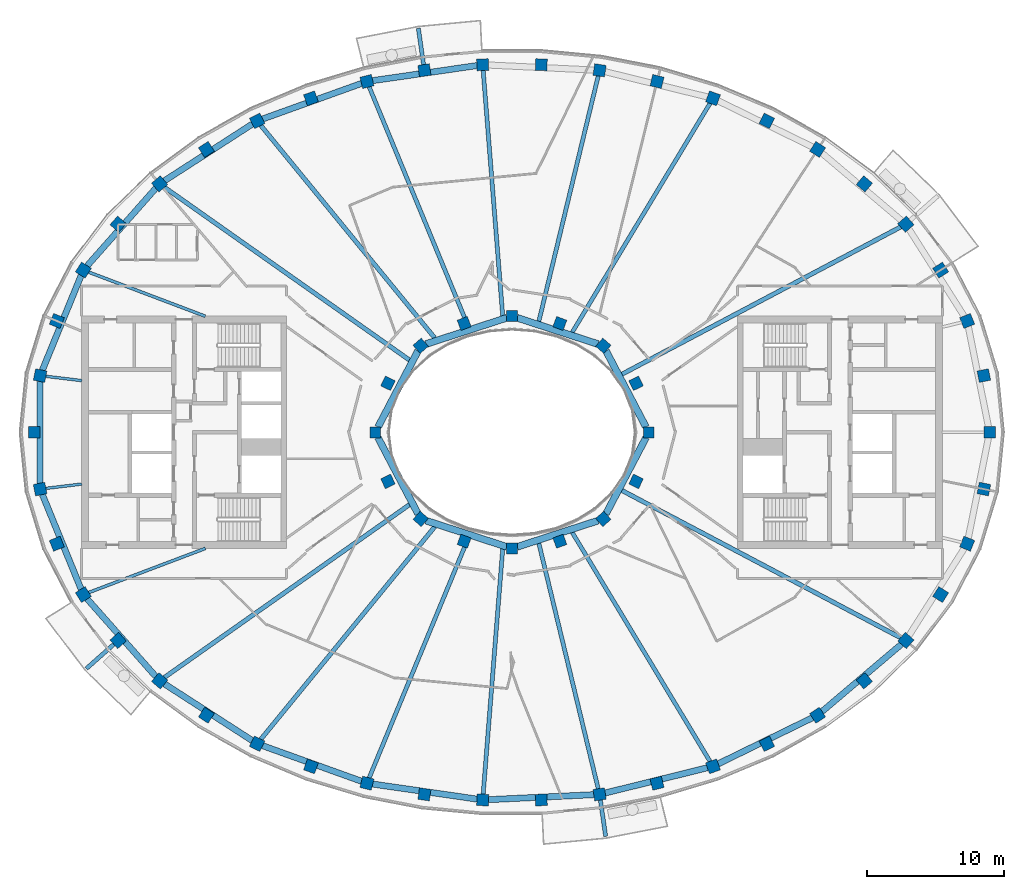
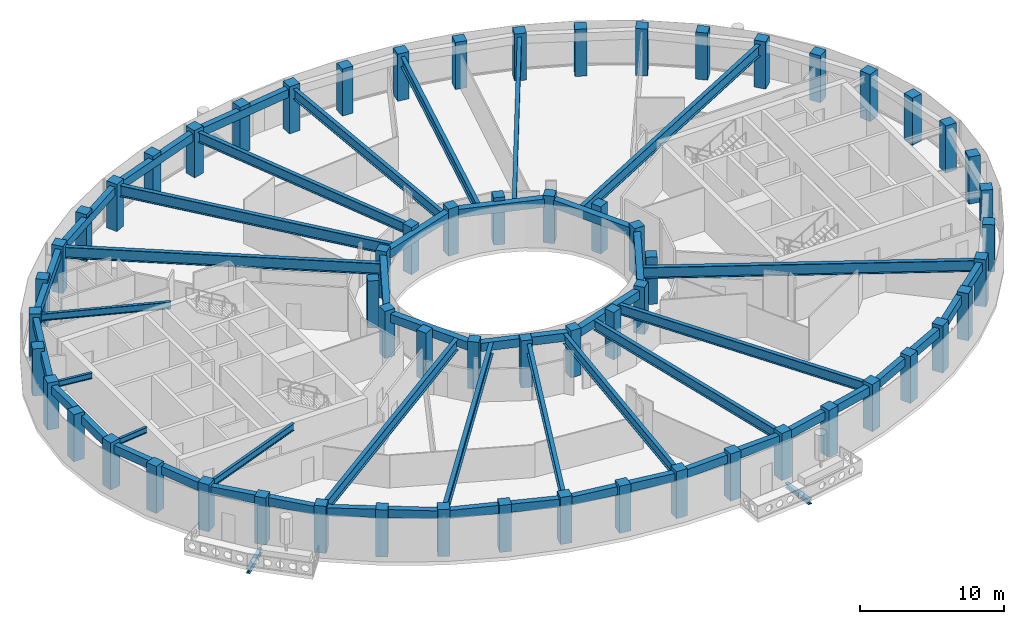
# One storey, part 1 of 20: 62 columns, 44 beams.
"""IFC4 building model written with IfcOpenShell, lengths in metres."""

from ifc_helpers import new_model, si_unit, direction, frame, origin, origin_2d, place, context, subcontext, project, spatial, rectangle, i_section, extrude, material, material_profile, profile_set, type_object, element, save


model = new_model("IFC4")

# Units and contexts
model_context = context("Model", 3, precision=1e-05, world=origin(), true_north=direction((0.0, 1.0)))
body_context = subcontext(model_context, "Body", "Model", "MODEL_VIEW")
ifc_project = project(units=[si_unit("LENGTHUNIT", "METRE"), si_unit("AREAUNIT", "SQUARE_METRE"), si_unit("VOLUMEUNIT", "CUBIC_METRE"), si_unit("PLANEANGLEUNIT", "RADIAN"), si_unit("MASSUNIT", "GRAM", prefix="KILO")], contexts=[model_context])

# Site, building, storey
site_placement = place(None, origin())
site = spatial("IfcSite", under=ifc_project, at=site_placement, CompositionType="ELEMENT")
building_placement = place(site_placement, origin())
building = spatial("IfcBuilding", under=site, at=building_placement, Name="Noorbagh Ring Tower", CompositionType="ELEMENT")
storey_placement = place(building_placement, frame((0.0, 0.0, 323.0)))
storey = spatial("IfcBuildingStorey", under=building, at=storey_placement, Name="L70", CompositionType="ELEMENT", Elevation=323.0)

# Columns
ifc_material_1 = material(Name="Concrete C50/60", Category="concrete")
ifc_material_profile_1 = material_profile(ifc_material_1, rectangle(XDim=0.85009765625, YDim=0.85009765625, at=origin_2d()), Name="RC850x850")
ifc_profile_set_1 = profile_set([ifc_material_profile_1], Name="Concrete C50/60")
column_type_1 = type_object("IfcColumnType", Name="STR-COL-RC850x850-C50-60", PredefinedType="COLUMN", material=ifc_profile_set_1)
for number, where, z_axis, x_axis, name in (
    (1, (34.944580078125, 0.0, 0.0), (0.0, 0.0, 1.0), (0.0, 1.0, 0.0), "L70/col/R1-01"),
    (2, (34.52685546875, 4.150634765625, 0.0), (0.0, 0.0, 1.0), (-0.19723040178, 0.9803571638, 0.0), "L70/col/R1-02"),
    (3, (33.30517578125, 8.1494140625, 0.0), (0.0, 0.0, 1.0), (-0.378989499959, 0.925400971969, 0.0), "L70/col/R1-03"),
    (4, (31.364990234375, 11.87109375, 0.0), (0.0, 0.0, 1.0), (-0.535190403059, 0.844731455833, 0.0), "L70/col/R1-04"),
    (5, (28.81884765625, 15.23046875, 0.0), (0.0, 0.0, 1.0), (-0.662635642662, 0.748941923699, 0.0), "L70/col/R1-05"),
    (6, (25.78271484375, 18.180419921875, 0.0), (0.0, 0.0, 1.0), (-0.763035199656, 0.646356932419, 0.0), "L70/col/R1-06"),
    (7, (22.362060546875, 20.699951171875, 0.0), (0.0, 0.0, 1.0), (-0.840247639643, 0.542202825586, 0.0), "L70/col/R1-07"),
    (8, (18.646240234375, 22.785400390625, 0.0), (0.0, 0.0, 1.0), (-0.898399080868, 0.439180021741, 0.0), "L70/col/R1-08"),
    (9, (14.70947265625, 24.44091796875, 0.0), (0.0, 0.0, 1.0), (-0.941024726094, 0.338337797003, 0.0), "L70/col/R1-09"),
    (10, (10.61328125, 25.673583984375, 0.0), (0.0, 0.0, 1.0), (-0.970829360981, 0.239771457553, 0.0), "L70/col/R1-10"),
    (11, (6.4091796875, 26.49072265625, 0.0), (0.0, 0.0, 1.0), (-0.989713114048, 0.143066249975, 0.0), "L70/col/R1-11"),
    (12, (2.14306640625, 26.89794921875, 0.0), (0.0, 0.0, 1.0), (-0.998868731212, 0.047552684538, 0.0), "L70/col/R1-12"),
    (13, (-2.14306640625, 26.89794921875, 0.0), (0.0, 0.0, 1.0), (-0.998868731212, -0.047552684538, 0.0), "L70/col/R1-13"),
    (14, (-6.4091796875, 26.49072265625, 0.0), (0.0, 0.0, 1.0), (-0.989713114048, -0.143066249975, 0.0), "L70/col/R1-14"),
    (15, (-10.61328125, 25.673583984375, 0.0), (0.0, 0.0, 1.0), (-0.970829360981, -0.239771457553, 0.0), "L70/col/R1-15"),
    (16, (-14.70947265625, 24.44091796875, 0.0), (0.0, 0.0, 1.0), (-0.941024726094, -0.338337797003, 0.0), "L70/col/R1-16"),
    (17, (-18.646240234375, 22.785400390625, 0.0), (0.0, 0.0, 1.0), (-0.898399080868, -0.439180021741, 0.0), "L70/col/R1-17"),
    (18, (-22.362060546875, 20.699951171875, 0.0), (0.0, 0.0, 1.0), (-0.840247639643, -0.542202825586, 0.0), "L70/col/R1-18"),
    (19, (-25.78271484375, 18.180419921875, 0.0), (0.0, 0.0, 1.0), (-0.763035199656, -0.646356932419, 0.0), "L70/col/R1-19"),
    (20, (-28.81884765625, 15.23046875, 0.0), (0.0, 0.0, 1.0), (-0.662635642662, -0.748941923699, 0.0), "L70/col/R1-20"),
    (21, (-31.364990234375, 11.87109375, 0.0), (0.0, 0.0, 1.0), (-0.535190403059, -0.844731455833, 0.0), "L70/col/R1-21"),
    (22, (-33.30517578125, 8.1494140625, 0.0), (0.0, 0.0, 1.0), (-0.378989499959, -0.925400971969, 0.0), "L70/col/R1-22"),
    (23, (-34.52685546875, 4.150634765625, 0.0), (0.0, 0.0, 1.0), (-0.19723040178, -0.9803571638, 0.0), "L70/col/R1-23"),
    (24, (-34.944580078125, 0.0, 0.0), (0.0, 0.0, 1.0), (0.0, -1.0, 0.0), "L70/col/R1-24"),
    (25, (-34.52685546875, -4.150634765625, 0.0), (0.0, 0.0, 1.0), (0.19723040178, -0.9803571638, 0.0), "L70/col/R1-25"),
    (26, (-33.30517578125, -8.1494140625, 0.0), (0.0, 0.0, 1.0), (0.378989499959, -0.925400971969, 0.0), "L70/col/R1-26"),
    (27, (-31.364990234375, -11.87109375, 0.0), (0.0, 0.0, 1.0), (0.535190403059, -0.844731455833, 0.0), "L70/col/R1-27"),
    (28, (-28.81884765625, -15.23046875, 0.0), (0.0, 0.0, 1.0), (0.662635642662, -0.748941923699, 0.0), "L70/col/R1-28"),
    (29, (-25.78271484375, -18.180419921875, 0.0), (0.0, 0.0, 1.0), (0.763035199656, -0.646356932419, 0.0), "L70/col/R1-29"),
    (30, (-22.362060546875, -20.699951171875, 0.0), (0.0, 0.0, 1.0), (0.840247639643, -0.542202825586, 0.0), "L70/col/R1-30"),
    (31, (-18.646240234375, -22.785400390625, 0.0), (0.0, 0.0, 1.0), (0.898399080868, -0.439180021741, 0.0), "L70/col/R1-31"),
    (32, (-14.70947265625, -24.44091796875, 0.0), (0.0, 0.0, 1.0), (0.941024726094, -0.338337797003, 0.0), "L70/col/R1-32"),
    (33, (-10.61328125, -25.673583984375, 0.0), (0.0, 0.0, 1.0), (0.970829360981, -0.239771457553, 0.0), "L70/col/R1-33"),
    (34, (-6.4091796875, -26.49072265625, 0.0), (0.0, 0.0, 1.0), (0.989713114048, -0.143066249975, 0.0), "L70/col/R1-34"),
    (35, (-2.14306640625, -26.89794921875, 0.0), (0.0, 0.0, 1.0), (0.998868731212, -0.047552684538, 0.0), "L70/col/R1-35"),
    (36, (2.14306640625, -26.89794921875, 0.0), (0.0, 0.0, 1.0), (0.998868731212, 0.047552684538, 0.0), "L70/col/R1-36"),
    (37, (6.4091796875, -26.49072265625, 0.0), (0.0, 0.0, 1.0), (0.989713114048, 0.143066249975, 0.0), "L70/col/R1-37"),
    (38, (10.61328125, -25.673583984375, 0.0), (0.0, 0.0, 1.0), (0.970829360981, 0.239771457553, 0.0), "L70/col/R1-38"),
    (39, (14.70947265625, -24.44091796875, 0.0), (0.0, 0.0, 1.0), (0.941024726094, 0.338337797003, 0.0), "L70/col/R1-39"),
    (40, (18.646240234375, -22.785400390625, 0.0), (0.0, 0.0, 1.0), (0.898399080868, 0.439180021741, 0.0), "L70/col/R1-40"),
    (41, (22.362060546875, -20.699951171875, 0.0), (0.0, 0.0, 1.0), (0.840247639643, 0.542202825586, 0.0), "L70/col/R1-41"),
    (42, (25.78271484375, -18.180419921875, 0.0), (0.0, 0.0, 1.0), (0.763035199656, 0.646356932419, 0.0), "L70/col/R1-42"),
    (43, (28.81884765625, -15.23046875, 0.0), (0.0, 0.0, 1.0), (0.662635642662, 0.748941923699, 0.0), "L70/col/R1-43"),
    (44, (31.364990234375, -11.87109375, 0.0), (0.0, 0.0, 1.0), (0.535190403059, 0.844731455833, 0.0), "L70/col/R1-44"),
    (45, (33.30517578125, -8.1494140625, 0.0), (0.0, 0.0, 1.0), (0.378989499959, 0.925400971969, 0.0), "L70/col/R1-45"),
    (46, (34.52685546875, -4.150634765625, 0.0), (0.0, 0.0, 1.0), (0.19723040178, 0.9803571638, 0.0), "L70/col/R1-46"),
):
    element("IfcColumn", number, at=place(storey_placement, frame(where, z_axis=z_axis, x_axis=x_axis)), inside=storey, type_object=column_type_1, Name=name, PredefinedType="COLUMN", context=body_context, shape_type="SweptSolid", body=[
        extrude(rectangle(XDim=0.85009765625, YDim=0.85009765625, at=origin_2d()), origin(), (0.0, 0.0, 1.0), 3.989013671875),
    ])
ifc_material_2 = material(Name="Concrete C50/60", Category="concrete")
ifc_material_profile_2 = material_profile(ifc_material_2, rectangle(XDim=0.800048828125, YDim=0.800048828125, at=origin_2d()), Name="RC800x800")
ifc_profile_set_2 = profile_set([ifc_material_profile_2], Name="Concrete C50/60")
column_type_2 = type_object("IfcColumnType", Name="STR-ICOL-RC800x800-C50-60", PredefinedType="COLUMN", material=ifc_profile_set_2)
for number, where, z_axis, x_axis, name in (
    (47, (10.00830078125, 0.0, 0.0), (0.0, 0.0, 1.0), (0.0, 1.0, 0.0), "L70/col/IR2-W01"),
    (48, (9.07568359375, 3.58837890625, 0.0), (0.0, 0.0, 1.0), (-0.428666979171, 0.903462573087, 0.0), "L70/col/IR2-W03"),
    (49, (6.68212890625, 6.333740234375, 0.0), (0.0, 0.0, 1.0), (-0.75102249095, 0.660276622399, 0.0), "L70/col/IR2-W05"),
    (50, (3.5009765625, 7.967041015625, 0.0), (0.0, 0.0, 1.0), (-0.939019578916, 0.343863679984, 0.0), "L70/col/IR2-W07"),
    (51, (0.0, 8.5029296875, 0.0), (0.0, 0.0, 1.0), (-1.0, 0.0, 0.0), "L70/col/IR2-W09"),
    (52, (-3.5009765625, 7.967041015625, 0.0), (0.0, 0.0, 1.0), (-0.939019578916, -0.343863679984, 0.0), "L70/col/IR2-W11"),
    (53, (-6.68212890625, 6.333740234375, 0.0), (0.0, 0.0, 1.0), (-0.75102249095, -0.660276622399, 0.0), "L70/col/IR2-W13"),
    (54, (-9.07568359375, 3.58837890625, 0.0), (0.0, 0.0, 1.0), (-0.428666979171, -0.903462573087, 0.0), "L70/col/IR2-W15"),
    (55, (-10.00830078125, 0.0, 0.0), (0.0, 0.0, 1.0), (0.0, -1.0, 0.0), "L70/col/IR2-W17"),
    (56, (-9.07568359375, -3.58837890625, 0.0), (0.0, 0.0, 1.0), (0.428666979171, -0.903462573087, 0.0), "L70/col/IR2-W19"),
    (57, (-6.68212890625, -6.333740234375, 0.0), (0.0, 0.0, 1.0), (0.75102249095, -0.660276622399, 0.0), "L70/col/IR2-W21"),
    (58, (-3.5009765625, -7.967041015625, 0.0), (0.0, 0.0, 1.0), (0.939019578916, -0.343863679984, 0.0), "L70/col/IR2-W23"),
    (59, (0.0, -8.5029296875, 0.0), (0.0, 0.0, 1.0), (1.0, 0.0, 0.0), "L70/col/IR2-W25"),
    (60, (3.5009765625, -7.967041015625, 0.0), (0.0, 0.0, 1.0), (0.939019578916, 0.343863679984, 0.0), "L70/col/IR2-W27"),
    (61, (6.68212890625, -6.333740234375, 0.0), (0.0, 0.0, 1.0), (0.75102249095, 0.660276622399, 0.0), "L70/col/IR2-W29"),
    (62, (9.07568359375, -3.58837890625, 0.0), (0.0, 0.0, 1.0), (0.428666979171, 0.903462573087, 0.0), "L70/col/IR2-W31"),
):
    element("IfcColumn", number, at=place(storey_placement, frame(where, z_axis=z_axis, x_axis=x_axis)), inside=storey, type_object=column_type_2, Name=name, PredefinedType="COLUMN", context=body_context, shape_type="SweptSolid", body=[
        extrude(rectangle(XDim=0.800048828125, YDim=0.800048828125, at=origin_2d()), origin(), (0.0, 0.0, 1.0), 4.0),
    ])

# Beams
ifc_material_3 = material(Name="Steel S355", Category="steel")
ifc_material_profile_3 = material_profile(ifc_material_3, i_section(OverallWidth=0.300048828125, OverallDepth=0.39990234375, WebThickness=0.013427734375, FlangeThickness=0.02392578125, FilletRadius=0.027099609375, at=origin_2d()), Name="HEB400")
ifc_profile_set_3 = profile_set([ifc_material_profile_3], Name="Steel S355")
beam_type_1 = type_object("IfcBeamType", Name="STR-BALCONY-BRACKET-HEB400", PredefinedType="BEAM", material=ifc_profile_set_3)
beam_1_placement = place(storey_placement, frame((-6.46728515625, 26.8916015625, -0.5), z_axis=(-0.143016882703, 0.989720248991, 0.0), x_axis=(-0.989720248991, -0.143016882703, 0.0)))
element("IfcBeam", 63, at=beam_1_placement, inside=storey, type_object=beam_type_1, Name="Balcony bracket beam BN04", PredefinedType="BEAM", context=body_context, shape_type="SweptSolid", body=[
    extrude(i_section(OverallWidth=0.300048828125, OverallDepth=0.39990234375, WebThickness=0.013427734375, FlangeThickness=0.02392578125, FilletRadius=0.027099609375, at=origin_2d()), origin(), (0.0, 0.0, 1.0), 2.698974609375),
])
beam_2_placement = place(storey_placement, frame((-29.1220703125, -15.498779296875, -0.5), z_axis=(-0.749065478734, -0.662495968719, 0.0), x_axis=(0.662495968719, -0.749065478734, 0.0)))
element("IfcBeam", 64, at=beam_2_placement, inside=storey, type_object=beam_type_1, Name="Balcony bracket beam BS01", PredefinedType="BEAM", context=body_context, shape_type="SweptSolid", body=[
    extrude(i_section(OverallWidth=0.300048828125, OverallDepth=0.39990234375, WebThickness=0.013427734375, FlangeThickness=0.02392578125, FilletRadius=0.027099609375, at=origin_2d()), origin(), (0.0, 0.0, 1.0), 2.70458984375),
])
beam_3_placement = place(storey_placement, frame((6.46728515625, -26.8916015625, -0.5), z_axis=(0.143016882703, -0.989720248991, 0.0), x_axis=(0.989720248991, 0.143016882703, 0.0)))
element("IfcBeam", 65, at=beam_3_placement, inside=storey, type_object=beam_type_1, Name="Balcony bracket beam BS04", PredefinedType="BEAM", context=body_context, shape_type="SweptSolid", body=[
    extrude(i_section(OverallWidth=0.300048828125, OverallDepth=0.39990234375, WebThickness=0.013427734375, FlangeThickness=0.02392578125, FilletRadius=0.027099609375, at=origin_2d()), origin(), (0.0, 0.0, 1.0), 2.698974609375),
])
ifc_material_4 = material(Name="Steel S355", Category="steel")
ifc_material_profile_4 = material_profile(ifc_material_4, i_section(OverallWidth=0.199951171875, OverallDepth=0.5, WebThickness=0.01025390625, FlangeThickness=0.01611328125, FilletRadius=0.02099609375, at=origin_2d()), Name="IPE500")
ifc_profile_set_4 = profile_set([ifc_material_profile_4], Name="Steel S355")
beam_type_2 = type_object("IfcBeamType", Name="STR-RAD-IPE500", PredefinedType="BEAM", material=ifc_profile_set_4)
for number, where, z_axis, x_axis, name in (
    (66, (-34.123291015625, 4.102294921875, 3.449951171875), (0.992845559516, -0.119405590106, 0.0), (0.119405590106, 0.992845559516, 0.0), "L70/bm/RD23"),
    (67, (-34.123291015625, -4.102294921875, 3.449951171875), (0.992845559516, 0.119405590106, 0.0), (-0.119405590106, 0.992845559516, 0.0), "L70/bm/RD25"),
):
    element("IfcBeam", number, at=place(storey_placement, frame(where, z_axis=z_axis, x_axis=x_axis)), inside=storey, type_object=beam_type_2, Name=name, PredefinedType="BEAM", context=body_context, shape_type="SweptSolid", body=[
        extrude(i_section(OverallWidth=0.199951171875, OverallDepth=0.5, WebThickness=0.01025390625, FlangeThickness=0.01611328125, FilletRadius=0.02099609375, at=origin_2d()), origin(), (0.0, 0.0, 1.0), 2.662109375),
    ])
ifc_material_5 = material(Name="Steel S355", Category="steel")
ifc_material_profile_5 = material_profile(ifc_material_5, i_section(OverallWidth=0.219970703125, OverallDepth=0.60009765625, WebThickness=0.011962890625, FlangeThickness=0.01904296875, FilletRadius=0.02392578125, at=origin_2d()), Name="IPE600")
ifc_profile_set_5 = profile_set([ifc_material_profile_5], Name="Steel S355")
beam_type_3 = type_object("IfcBeamType", Name="STR-RAD-IPE600", PredefinedType="BEAM", material=ifc_profile_set_5)
for number, where, z_axis, x_axis, name in (
    (68, (-30.977783203125, 11.724365234375, 3.39990234375), (0.935256589079, -0.35397049677, 0.0), (0.35397049677, 0.935256589079, 0.0), "L70/bm/RD21"),
    (69, (-30.977783203125, -11.724365234375, 3.39990234375), (0.935256589079, 0.35397049677, 0.0), (-0.35397049677, 0.935256589079, 0.0), "L70/bm/RD27"),
):
    element("IfcBeam", number, at=place(storey_placement, frame(where, z_axis=z_axis, x_axis=x_axis)), inside=storey, type_object=beam_type_3, Name=name, PredefinedType="BEAM", context=body_context, shape_type="SweptSolid", body=[
        extrude(i_section(OverallWidth=0.219970703125, OverallDepth=0.60009765625, WebThickness=0.011962890625, FlangeThickness=0.01904296875, FilletRadius=0.02392578125, at=origin_2d()), origin(), (0.0, 0.0, 1.0), 9.129150390625),
    ])
ifc_material_6 = material(Name="Steel S355", Category="steel")
ifc_material_profile_6 = material_profile(ifc_material_6, i_section(OverallWidth=0.300048828125, OverallDepth=0.85009765625, WebThickness=0.013916015625, FlangeThickness=0.028076171875, at=origin_2d()), Name="PG850x300x14x28")
ifc_profile_set_6 = profile_set([ifc_material_profile_6], Name="Steel S355")
beam_type_4 = type_object("IfcBeamType", Name="STR-RAD-PG850x300x14x28", PredefinedType="BEAM", material=ifc_profile_set_6)
beam_4_placement = place(storey_placement, frame((14.496337890625, 24.086669921875, 3.27490234375), z_axis=(-0.515652694162, -0.856797700162, 0.0), x_axis=(0.856797700162, -0.515652694162, 0.0)))
element("IfcBeam", 70, at=beam_4_placement, inside=storey, type_object=beam_type_4, Name="L70/bm/RD09", PredefinedType="BEAM", context=body_context, shape_type="SweptSolid", body=[
    extrude(i_section(OverallWidth=0.300048828125, OverallDepth=0.85009765625, WebThickness=0.013916015625, FlangeThickness=0.028076171875, at=origin_2d()), origin(), (0.0, 0.0, 1.0), 19.57373046875),
])
beam_5_placement = place(storey_placement, frame((6.3134765625, 26.095458984375, 3.27490234375), z_axis=(-0.235150311245, -0.971959017202, 0.0), x_axis=(0.971959017202, -0.235150311245, 0.0)))
element("IfcBeam", 71, at=beam_5_placement, inside=storey, type_object=beam_type_4, Name="L70/bm/RD11", PredefinedType="BEAM", context=body_context, shape_type="SweptSolid", body=[
    extrude(i_section(OverallWidth=0.300048828125, OverallDepth=0.85009765625, WebThickness=0.013916015625, FlangeThickness=0.028076171875, at=origin_2d()), origin(), (0.0, 0.0, 1.0), 18.506591796875),
])
beam_6_placement = place(storey_placement, frame((-2.111083984375, 26.494140625, 3.27490234375), z_axis=(0.079432469635, -0.996840249372, 0.0), x_axis=(0.996840249372, 0.079432469635, 0.0)))
element("IfcBeam", 72, at=beam_6_placement, inside=storey, type_object=beam_type_4, Name="L70/bm/RD13", PredefinedType="BEAM", context=body_context, shape_type="SweptSolid", body=[
    extrude(i_section(OverallWidth=0.300048828125, OverallDepth=0.85009765625, WebThickness=0.013916015625, FlangeThickness=0.028076171875, at=origin_2d()), origin(), (0.0, 0.0, 1.0), 18.0263671875),
])
for number, where, z_axis, x_axis, name in (
    (73, (-10.45654296875, 25.294921875, 3.27490234375), (0.382031056848, -0.924149485529, 0.0), (0.924149485529, 0.382031056848, 0.0), "L70/bm/RD15"),
    (74, (-10.45654296875, -25.294921875, 3.27490234375), (0.382031056848, 0.924149485529, 0.0), (-0.924149485529, 0.382031056848, 0.0), "L70/bm/RD33"),
):
    element("IfcBeam", number, at=place(storey_placement, frame(where, z_axis=z_axis, x_axis=x_axis)), inside=storey, type_object=beam_type_4, Name=name, PredefinedType="BEAM", context=body_context, shape_type="SweptSolid", body=[
        extrude(i_section(OverallWidth=0.300048828125, OverallDepth=0.85009765625, WebThickness=0.013916015625, FlangeThickness=0.028076171875, at=origin_2d()), origin(), (0.0, 0.0, 1.0), 19.028076171875),
    ])
beam_7_placement = place(storey_placement, frame((-2.111083984375, -26.494140625, 3.27490234375), z_axis=(0.079432469635, 0.996840249372, 0.0), x_axis=(-0.996840249372, 0.079432469635, 0.0)))
element("IfcBeam", 75, at=beam_7_placement, inside=storey, type_object=beam_type_4, Name="L70/bm/RD35", PredefinedType="BEAM", context=body_context, shape_type="SweptSolid", body=[
    extrude(i_section(OverallWidth=0.300048828125, OverallDepth=0.85009765625, WebThickness=0.013916015625, FlangeThickness=0.028076171875, at=origin_2d()), origin(), (0.0, 0.0, 1.0), 18.0263671875),
])
beam_8_placement = place(storey_placement, frame((6.3134765625, -26.095458984375, 3.27490234375), z_axis=(-0.235150311245, 0.971959017202, 0.0), x_axis=(-0.971959017202, -0.235150311245, 0.0)))
element("IfcBeam", 76, at=beam_8_placement, inside=storey, type_object=beam_type_4, Name="L70/bm/RD37", PredefinedType="BEAM", context=body_context, shape_type="SweptSolid", body=[
    extrude(i_section(OverallWidth=0.300048828125, OverallDepth=0.85009765625, WebThickness=0.013916015625, FlangeThickness=0.028076171875, at=origin_2d()), origin(), (0.0, 0.0, 1.0), 18.506591796875),
])
beam_9_placement = place(storey_placement, frame((14.496337890625, -24.086669921875, 3.27490234375), z_axis=(-0.515652694162, 0.856797700162, 0.0), x_axis=(-0.856797700162, -0.515652694162, 0.0)))
element("IfcBeam", 77, at=beam_9_placement, inside=storey, type_object=beam_type_4, Name="L70/bm/RD39", PredefinedType="BEAM", context=body_context, shape_type="SweptSolid", body=[
    extrude(i_section(OverallWidth=0.300048828125, OverallDepth=0.85009765625, WebThickness=0.013916015625, FlangeThickness=0.028076171875, at=origin_2d()), origin(), (0.0, 0.0, 1.0), 19.57373046875),
])
ifc_material_7 = material(Name="Steel S355", Category="steel")
ifc_material_profile_7 = material_profile(ifc_material_7, i_section(OverallWidth=0.320068359375, OverallDepth=0.949951171875, WebThickness=0.01611328125, FlangeThickness=0.030029296875, at=origin_2d()), Name="PG950x320x16x30")
ifc_profile_set_7 = profile_set([ifc_material_profile_7], Name="Steel S355")
beam_type_5 = type_object("IfcBeamType", Name="STR-RAD-PG950x320x16x30", PredefinedType="BEAM", material=ifc_profile_set_7)
beam_10_placement = place(storey_placement, frame((28.449951171875, 15.035400390625, 3.22509765625), z_axis=(-0.884129263948, -0.46724238317, 0.0), x_axis=(0.46724238317, -0.884129263948, 0.0)))
element("IfcBeam", 78, at=beam_10_placement, inside=storey, type_object=beam_type_5, Name="L70/bm/RD05", PredefinedType="BEAM", context=body_context, shape_type="SweptSolid", body=[
    extrude(i_section(OverallWidth=0.320068359375, OverallDepth=0.949951171875, WebThickness=0.01611328125, FlangeThickness=0.030029296875, at=origin_2d()), origin(), (0.0, 0.0, 1.0), 23.087890625),
])
beam_11_placement = place(storey_placement, frame((-18.38232421875, 22.462890625, 3.22509765625), z_axis=(0.633313204147, -0.773895590796, 0.0), x_axis=(0.773895590796, 0.633313204147, 0.0)))
element("IfcBeam", 79, at=beam_11_placement, inside=storey, type_object=beam_type_5, Name="L70/bm/RD17", PredefinedType="BEAM", context=body_context, shape_type="SweptSolid", body=[
    extrude(i_section(OverallWidth=0.320068359375, OverallDepth=0.949951171875, WebThickness=0.01611328125, FlangeThickness=0.030029296875, at=origin_2d()), origin(), (0.0, 0.0, 1.0), 20.096435546875),
])
for number, where, z_axis, x_axis, name in (
    (80, (-25.440185546875, 17.938720703125, 3.22509765625), (0.817257999624, -0.576271951469, 0.0), (0.576271951469, 0.817257999624, 0.0), "L70/bm/RD19"),
    (81, (-25.440185546875, -17.938720703125, 3.22509765625), (0.817257999624, 0.576271951469, 0.0), (-0.576271951469, 0.817257999624, 0.0), "L70/bm/RD29"),
):
    element("IfcBeam", number, at=place(storey_placement, frame(where, z_axis=z_axis, x_axis=x_axis)), inside=storey, type_object=beam_type_5, Name=name, PredefinedType="BEAM", context=body_context, shape_type="SweptSolid", body=[
        extrude(i_section(OverallWidth=0.320068359375, OverallDepth=0.949951171875, WebThickness=0.01611328125, FlangeThickness=0.030029296875, at=origin_2d()), origin(), (0.0, 0.0, 1.0), 21.959716796875),
    ])
beam_12_placement = place(storey_placement, frame((-18.38232421875, -22.462890625, 3.22509765625), z_axis=(0.633313204147, 0.773895590796, 0.0), x_axis=(-0.773895590796, 0.633313204147, 0.0)))
element("IfcBeam", 82, at=beam_12_placement, inside=storey, type_object=beam_type_5, Name="L70/bm/RD31", PredefinedType="BEAM", context=body_context, shape_type="SweptSolid", body=[
    extrude(i_section(OverallWidth=0.320068359375, OverallDepth=0.949951171875, WebThickness=0.01611328125, FlangeThickness=0.030029296875, at=origin_2d()), origin(), (0.0, 0.0, 1.0), 20.096435546875),
])
beam_13_placement = place(storey_placement, frame((28.449951171875, -15.035400390625, 3.22509765625), z_axis=(-0.884129263948, 0.46724238317, 0.0), x_axis=(-0.46724238317, -0.884129263948, 0.0)))
element("IfcBeam", 83, at=beam_13_placement, inside=storey, type_object=beam_type_5, Name="L70/bm/RD43", PredefinedType="BEAM", context=body_context, shape_type="SweptSolid", body=[
    extrude(i_section(OverallWidth=0.320068359375, OverallDepth=0.949951171875, WebThickness=0.01611328125, FlangeThickness=0.030029296875, at=origin_2d()), origin(), (0.0, 0.0, 1.0), 23.087890625),
])
ifc_material_8 = material(Name="Concrete C40/50", Category="concrete")
ifc_material_profile_8 = material_profile(ifc_material_8, rectangle(XDim=0.5, YDim=0.699951171875, at=origin_2d()), Name="RC500x700")
ifc_profile_set_8 = profile_set([ifc_material_profile_8], Name="Concrete C40/50")
beam_type_6 = type_object("IfcBeamType", Name="STR-RB-RC500x700-C40-50", PredefinedType="BEAM", material=ifc_profile_set_8)
beam_14_placement = place(storey_placement, frame((9.8076171875, 0.38232421875, 3.35009765625), z_axis=(-0.464943021964, 0.885340604698, 0.0), x_axis=(-0.885340604698, -0.464943021964, 0.0)))
element("IfcBeam", 84, at=beam_14_placement, inside=storey, type_object=beam_type_6, Name="L70/bm/RG01", PredefinedType="BEAM", context=body_context, shape_type="SweptSolid", body=[
    extrude(rectangle(XDim=0.5, YDim=0.699951171875, at=origin_2d()), origin(), (0.0, 0.0, 1.0), 6.313720703125),
])
for number, where, z_axis, x_axis, name in (
    (85, (6.286865234375, 6.462158203125, 3.35009765625), (-0.951150444931, 0.308727762126, 0.0), (-0.308727762126, -0.951150444931, 0.0), "L70/bm/RG03"),
    (86, (-0.380859375, 8.379150390625, 3.35009765625), (-0.951150444931, -0.308727762126, 0.0), (0.308727762126, -0.951150444931, 0.0), "L70/bm/RG05"),
):
    element("IfcBeam", number, at=place(storey_placement, frame(where, z_axis=z_axis, x_axis=x_axis)), inside=storey, type_object=beam_type_6, Name=name, PredefinedType="BEAM", context=body_context, shape_type="SweptSolid", body=[
        extrude(rectangle(XDim=0.5, YDim=0.699951171875, at=origin_2d()), origin(), (0.0, 0.0, 1.0), 6.209228515625),
    ])
for number, where, z_axis, x_axis, name in (
    (87, (-6.8720703125, 5.97216796875, 3.35009765625), (-0.464943021964, -0.885340604698, 0.0), (0.885340604698, -0.464943021964, 0.0), "L70/bm/RG07"),
    (88, (-9.8076171875, -0.38232421875, 3.35009765625), (0.464943021964, -0.885340604698, 0.0), (0.885340604698, 0.464943021964, 0.0), "L70/bm/RG09"),
):
    element("IfcBeam", number, at=place(storey_placement, frame(where, z_axis=z_axis, x_axis=x_axis)), inside=storey, type_object=beam_type_6, Name=name, PredefinedType="BEAM", context=body_context, shape_type="SweptSolid", body=[
        extrude(rectangle(XDim=0.5, YDim=0.699951171875, at=origin_2d()), origin(), (0.0, 0.0, 1.0), 6.313720703125),
    ])
for number, where, z_axis, x_axis, name in (
    (89, (-6.286865234375, -6.462158203125, 3.35009765625), (0.951150444931, -0.308727762126, 0.0), (0.308727762126, 0.951150444931, 0.0), "L70/bm/RG11"),
    (90, (0.380859375, -8.379150390625, 3.35009765625), (0.951150444931, 0.308727762126, 0.0), (-0.308727762126, 0.951150444931, 0.0), "L70/bm/RG13"),
):
    element("IfcBeam", number, at=place(storey_placement, frame(where, z_axis=z_axis, x_axis=x_axis)), inside=storey, type_object=beam_type_6, Name=name, PredefinedType="BEAM", context=body_context, shape_type="SweptSolid", body=[
        extrude(rectangle(XDim=0.5, YDim=0.699951171875, at=origin_2d()), origin(), (0.0, 0.0, 1.0), 6.209228515625),
    ])
beam_15_placement = place(storey_placement, frame((6.8720703125, -5.97216796875, 3.35009765625), z_axis=(0.464943021964, 0.885340604698, 0.0), x_axis=(-0.885340604698, 0.464943021964, 0.0)))
element("IfcBeam", 91, at=beam_15_placement, inside=storey, type_object=beam_type_6, Name="L70/bm/RG15", PredefinedType="BEAM", context=body_context, shape_type="SweptSolid", body=[
    extrude(rectangle(XDim=0.5, YDim=0.699951171875, at=origin_2d()), origin(), (0.0, 0.0, 1.0), 6.313720703125),
])
ifc_material_9 = material(Name="Concrete C40/50", Category="concrete")
ifc_material_profile_9 = material_profile(ifc_material_9, rectangle(XDim=0.449951171875, YDim=0.699951171875, at=origin_2d()), Name="RC450x700")
ifc_profile_set_9 = profile_set([ifc_material_profile_9], Name="Concrete C40/50")
beam_type_7 = type_object("IfcBeamType", Name="STR-SB-RC450x700-C40-50", PredefinedType="BEAM", material=ifc_profile_set_9)
beam_16_placement = place(storey_placement, frame((-2.5458984375, 26.83984375, 3.35009765625), z_axis=(-0.989712936671, -0.143067477037, 0.0), x_axis=(0.143067477037, -0.989712936671, 0.0)))
element("IfcBeam", 92, at=beam_16_placement, inside=storey, type_object=beam_type_7, Name="L70/bm/SP13", PredefinedType="BEAM", context=body_context, shape_type="SweptSolid", body=[
    extrude(rectangle(XDim=0.449951171875, YDim=0.699951171875, at=origin_2d()), origin(), (0.0, 0.0, 1.0), 7.743896484375),
])
beam_17_placement = place(storey_placement, frame((-10.996337890625, 25.535888671875, 3.35009765625), z_axis=(-0.941025178143, -0.338336539707, 0.0), x_axis=(0.338336539707, -0.941025178143, 0.0)))
element("IfcBeam", 93, at=beam_17_placement, inside=storey, type_object=beam_type_7, Name="L70/bm/SP15", PredefinedType="BEAM", context=body_context, shape_type="SweptSolid", body=[
    extrude(rectangle(XDim=0.449951171875, YDim=0.699951171875, at=origin_2d()), origin(), (0.0, 0.0, 1.0), 7.7216796875),
])
beam_18_placement = place(storey_placement, frame((-18.989013671875, 22.564208984375, 3.35009765625), z_axis=(-0.840250378677, -0.542198580904, 0.0), x_axis=(0.542198580904, -0.840250378677, 0.0)))
element("IfcBeam", 94, at=beam_18_placement, inside=storey, type_object=beam_type_7, Name="L70/bm/SP17", PredefinedType="BEAM", context=body_context, shape_type="SweptSolid", body=[
    extrude(rectangle(XDim=0.449951171875, YDim=0.699951171875, at=origin_2d()), origin(), (0.0, 0.0, 1.0), 7.6767578125),
])
beam_19_placement = place(storey_placement, frame((-26.053955078125, 17.873779296875, 3.35009765625), z_axis=(-0.662640380218, -0.748937732061, 0.0), x_axis=(0.748937732061, -0.662640380218, 0.0)))
element("IfcBeam", 95, at=beam_19_placement, inside=storey, type_object=beam_type_7, Name="L70/bm/SP19", PredefinedType="BEAM", context=body_context, shape_type="SweptSolid", body=[
    extrude(rectangle(XDim=0.449951171875, YDim=0.699951171875, at=origin_2d()), origin(), (0.0, 0.0, 1.0), 7.6044921875),
])
beam_20_placement = place(storey_placement, frame((-31.52099609375, 11.489990234375, 3.35009765625), z_axis=(-0.37899824369, -0.925397391006, 0.0), x_axis=(0.925397391006, -0.37899824369, 0.0)))
element("IfcBeam", 96, at=beam_20_placement, inside=storey, type_object=beam_type_7, Name="L70/bm/SP21", PredefinedType="BEAM", context=body_context, shape_type="SweptSolid", body=[
    extrude(rectangle(XDim=0.449951171875, YDim=0.699951171875, at=origin_2d()), origin(), (0.0, 0.0, 1.0), 7.51806640625),
])
beam_21_placement = place(storey_placement, frame((-34.52685546875, 3.737060546875, 3.35009765625), z_axis=(0.0, -1.0, 0.0), x_axis=(1.0, 0.0, 0.0)))
element("IfcBeam", 97, at=beam_21_placement, inside=storey, type_object=beam_type_7, Name="L70/bm/SP23", PredefinedType="BEAM", context=body_context, shape_type="SweptSolid", body=[
    extrude(rectangle(XDim=0.449951171875, YDim=0.699951171875, at=origin_2d()), origin(), (0.0, 0.0, 1.0), 7.47412109375),
])
beam_22_placement = place(storey_placement, frame((-34.370361328125, -4.53271484375, 3.35009765625), z_axis=(0.37899824369, -0.925397391006, 0.0), x_axis=(0.925397391006, 0.37899824369, 0.0)))
element("IfcBeam", 98, at=beam_22_placement, inside=storey, type_object=beam_type_7, Name="L70/bm/SP25", PredefinedType="BEAM", context=body_context, shape_type="SweptSolid", body=[
    extrude(rectangle(XDim=0.449951171875, YDim=0.699951171875, at=origin_2d()), origin(), (0.0, 0.0, 1.0), 7.51806640625),
])
beam_23_placement = place(storey_placement, frame((-31.093017578125, -12.178466796875, 3.35009765625), z_axis=(0.662640380218, -0.748937732061, 0.0), x_axis=(0.748937732061, 0.662640380218, 0.0)))
element("IfcBeam", 99, at=beam_23_placement, inside=storey, type_object=beam_type_7, Name="L70/bm/SP27", PredefinedType="BEAM", context=body_context, shape_type="SweptSolid", body=[
    extrude(rectangle(XDim=0.449951171875, YDim=0.699951171875, at=origin_2d()), origin(), (0.0, 0.0, 1.0), 7.6044921875),
])
beam_24_placement = place(storey_placement, frame((-25.439453125, -18.40185546875, 3.35009765625), z_axis=(0.840250378677, -0.542198580904, 0.0), x_axis=(0.542198580904, 0.840250378677, 0.0)))
element("IfcBeam", 100, at=beam_24_placement, inside=storey, type_object=beam_type_7, Name="L70/bm/SP29", PredefinedType="BEAM", context=body_context, shape_type="SweptSolid", body=[
    extrude(rectangle(XDim=0.449951171875, YDim=0.699951171875, at=origin_2d()), origin(), (0.0, 0.0, 1.0), 7.6767578125),
])
beam_25_placement = place(storey_placement, frame((-18.2626953125, -22.92333984375, 3.35009765625), z_axis=(0.941025178143, -0.338336539707, 0.0), x_axis=(0.338336539707, 0.941025178143, 0.0)))
element("IfcBeam", 101, at=beam_25_placement, inside=storey, type_object=beam_type_7, Name="L70/bm/SP31", PredefinedType="BEAM", context=body_context, shape_type="SweptSolid", body=[
    extrude(rectangle(XDim=0.449951171875, YDim=0.699951171875, at=origin_2d()), origin(), (0.0, 0.0, 1.0), 7.7216796875),
])
beam_26_placement = place(storey_placement, frame((-10.210205078125, -25.73193359375, 3.35009765625), z_axis=(0.989712936671, -0.143067477037, 0.0), x_axis=(0.143067477037, 0.989712936671, 0.0)))
element("IfcBeam", 102, at=beam_26_placement, inside=storey, type_object=beam_type_7, Name="L70/bm/SP33", PredefinedType="BEAM", context=body_context, shape_type="SweptSolid", body=[
    extrude(rectangle(XDim=0.449951171875, YDim=0.699951171875, at=origin_2d()), origin(), (0.0, 0.0, 1.0), 7.743896484375),
])
beam_27_placement = place(storey_placement, frame((-1.73681640625, -26.878662109375, 3.35009765625), z_axis=(0.998868993013, 0.047547184961, 0.0), x_axis=(-0.047547184961, 0.998868993013, 0.0)))
element("IfcBeam", 103, at=beam_27_placement, inside=storey, type_object=beam_type_7, Name="L70/bm/SP35", PredefinedType="BEAM", context=body_context, shape_type="SweptSolid", body=[
    extrude(rectangle(XDim=0.449951171875, YDim=0.699951171875, at=origin_2d()), origin(), (0.0, 0.0, 1.0), 7.748291015625),
])
beam_28_placement = place(storey_placement, frame((6.804443359375, -26.393310546875, 3.35009765625), z_axis=(0.970829204931, 0.239772089397, 0.0), x_axis=(-0.239772089397, 0.970829204931, 0.0)))
element("IfcBeam", 104, at=beam_28_placement, inside=storey, type_object=beam_type_7, Name="L70/bm/SP37", PredefinedType="BEAM", context=body_context, shape_type="SweptSolid", body=[
    extrude(rectangle(XDim=0.449951171875, YDim=0.699951171875, at=origin_2d()), origin(), (0.0, 0.0, 1.0), 7.7353515625),
])
beam_29_placement = place(storey_placement, frame((15.07568359375, -24.261962890625, 3.35009765625), z_axis=(0.898397700963, 0.439182844501, 0.0), x_axis=(-0.439182844501, 0.898397700963, 0.0)))
element("IfcBeam", 105, at=beam_29_placement, inside=storey, type_object=beam_type_7, Name="L70/bm/SP39", PredefinedType="BEAM", context=body_context, shape_type="SweptSolid", body=[
    extrude(rectangle(XDim=0.449951171875, YDim=0.699951171875, at=origin_2d()), origin(), (0.0, 0.0, 1.0), 7.70263671875),
])
beam_30_placement = place(storey_placement, frame((22.673828125, -20.435791015625, 3.35009765625), z_axis=(0.763033626147, 0.646358789968, 0.0), x_axis=(-0.646358789968, 0.763033626147, 0.0)))
element("IfcBeam", 106, at=beam_30_placement, inside=storey, type_object=beam_type_7, Name="L70/bm/SP41", PredefinedType="BEAM", context=body_context, shape_type="SweptSolid", body=[
    extrude(rectangle(XDim=0.449951171875, YDim=0.699951171875, at=origin_2d()), origin(), (0.0, 0.0, 1.0), 7.643798828125),
])

save(model, "model.ifc")
